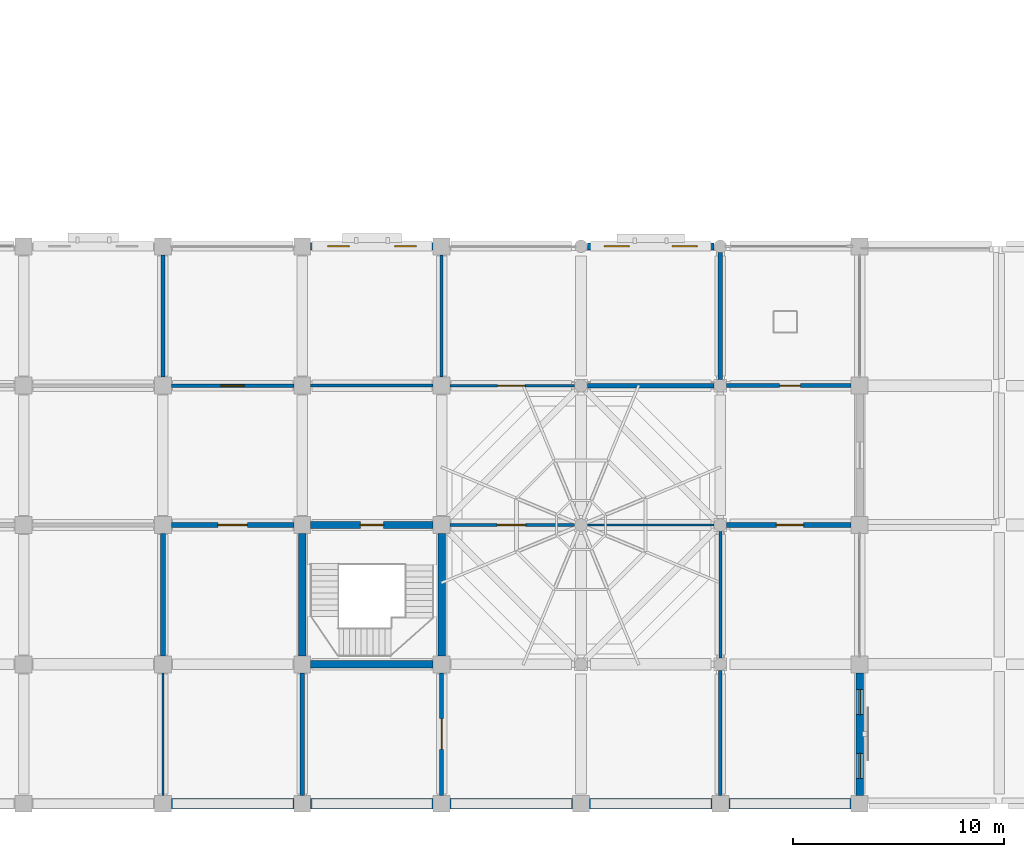
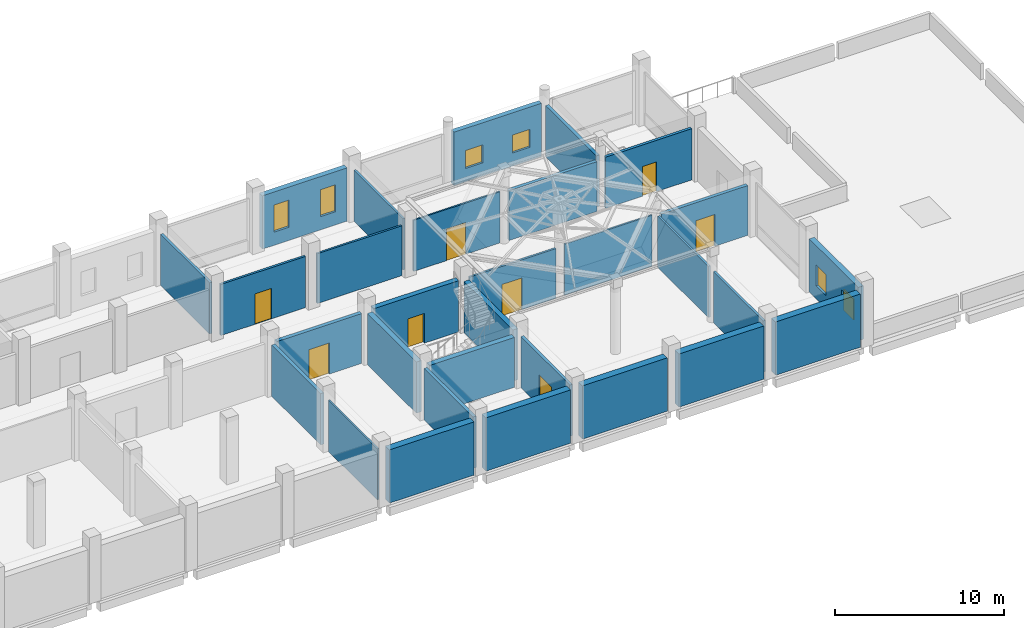
# One storey, part 21 of 34: 30 walls, 8 doors, 6 windows, 14 openings.
"""IFC4 building model written with IfcOpenShell, lengths in metres."""

from ifc_helpers import new_model, si_unit, direction, frame, frame_2d, origin, place, context, subcontext, project, spatial, rectangle, extrude, material, layer, layer_set, type_object, element, fill, save


model = new_model("IFC4")

# Units and contexts
model_context = context("Model", 3, precision=1e-05, world=origin(), true_north=direction((0.0, 1.0)))
body_context = subcontext(model_context, "Body", "Model", "MODEL_VIEW")
ifc_project = project(units=[si_unit("LENGTHUNIT", "METRE"), si_unit("AREAUNIT", "SQUARE_METRE"), si_unit("VOLUMEUNIT", "CUBIC_METRE"), si_unit("PLANEANGLEUNIT", "RADIAN"), si_unit("MASSUNIT", "GRAM", prefix="KILO")], contexts=[model_context])

# Site, building, storey
site_placement = place(None, origin())
site = spatial("IfcSite", under=ifc_project, at=site_placement, CompositionType="ELEMENT")
building_placement = place(site_placement, origin())
building = spatial("IfcBuilding", under=site, at=building_placement, Name="Rusizi Kubbe Research Institute", CompositionType="ELEMENT")
storey_placement = place(building_placement, frame((0.0, 0.0, 5.39990234375)))
storey = spatial("IfcBuildingStorey", under=building, at=storey_placement, Name="L01", CompositionType="ELEMENT", Elevation=5.39990234375)

# Wall
ifc_material_1 = material(Name="Concrete C45/55", Category="concrete")
ifc_layer_1 = layer(ifc_material_1, 0.35009765625)
ifc_layer_set_1 = layer_set([ifc_layer_1], Name="Concrete C45/55")
wall_type_1 = type_object("IfcWallType", Name="CRW-01", PredefinedType="SHEAR", material=ifc_layer_set_1)
wall_1_placement = place(storey_placement, frame((73.0, 6.60009765625, 0.0), z_axis=(0.0, 0.0, 1.0), x_axis=(1.0, 0.0, 0.0)))
element("IfcWall", 1, at=wall_1_placement, inside=storey, type_object=wall_type_1, Name="Stair Core Shear Wall ST7 L01 S", PredefinedType="SHEAR", context=body_context, shape_type="SweptSolid", body=[
    extrude(rectangle(XDim=5.800048828125, YDim=0.35009765625, at=frame_2d((2.89990234375, 0.0))), origin(), (0.0, 0.0, 1.0), 3.60009765625),
])

# Wall, opening, door
wall_2_placement = place(storey_placement, frame((73.0, 13.199951171875, 0.0), z_axis=(0.0, 0.0, 1.0), x_axis=(1.0, 0.0, 0.0)))
wall_2 = element("IfcWall", 2, at=wall_2_placement, inside=storey, type_object=wall_type_1, Name="Stair Core Shear Wall ST7 L01 N", PredefinedType="SHEAR", context=body_context, shape_type="SweptSolid", body=[
    extrude(rectangle(XDim=5.800048828125, YDim=0.35009765625, at=frame_2d((2.89990234375, 0.0))), origin(), (0.0, 0.0, 1.0), 3.7001953125),
])
opening_1_placement = place(wall_2_placement, frame((2.35009765625, 0.0, 0.0)))
opening_1 = element("IfcOpeningElement", 3, at=opening_1_placement, cuts=wall_2, Name="Opening D-01", PredefinedType="OPENING", context=body_context, shape_type="SweptSolid", body=[
    extrude(rectangle(XDim=1.10009765625, YDim=2.14990234375, at=frame_2d((0.550048828125, 1.074951171875))), frame((0.0, 0.18505859375, 0.0), z_axis=(0.0, -1.0, 0.0), x_axis=(1.0, 0.0, 0.0)), (0.0, 0.0, 1.0), 0.3701171875),
])
ifc_material_2 = material(Name="Fire-Rated Steel Frame and Acoustic Timber Leaf", Category="wood")
door_type_1 = type_object("IfcDoorType", Name="ID-STAIR-110", OperationType="NOTDEFINED", PredefinedType="DOOR", material=ifc_material_2)
door_1_placement = place(opening_1_placement, origin())
door_1 = element("IfcDoor", 4, at=door_1_placement, inside=storey, type_object=door_type_1, Name="Exit Stair Door ST7 L01", OperationType="SINGLE_SWING_LEFT", OverallHeight=2.14990234375, OverallWidth=1.10009765625, PredefinedType="DOOR", context=body_context, shape_type="SweptSolid", body=[
    extrude(rectangle(XDim=1.10009765625, YDim=2.14990234375, at=frame_2d((0.550048828125, 1.074951171875))), frame((0.0, 0.02490234375, 0.0), z_axis=(0.0, -1.0, 0.0), x_axis=(1.0, 0.0, 0.0)), (0.0, 0.0, 1.0), 0.050048828125),
])
fill(opening_1, door_1)

# Walls
for number, where, z_axis, x_axis, name in (
    (5, (72.60009765625, 7.0, 0.0), (0.0, 0.0, 1.0), (0.0, 1.0, 0.0), "Stair Core Shear Wall ST7 L01 W"),
    (6, (79.199951171875, 7.0, 0.0), (0.0, 0.0, 1.0), (0.0, 1.0, 0.0), "Stair Core Shear Wall ST7 L01 E"),
):
    element("IfcWall", number, at=place(storey_placement, frame(where, z_axis=z_axis, x_axis=x_axis)), inside=storey, type_object=wall_type_1, Name=name, PredefinedType="SHEAR", context=body_context, shape_type="SweptSolid", body=[
        extrude(rectangle(XDim=5.800048828125, YDim=0.35009765625, at=frame_2d((2.89990234375, 0.0))), origin(), (0.0, 0.0, 1.0), 3.7001953125),
    ])

# Wall, openings, windows
ifc_material_3 = material(Name="Volcanic Basalt Ashlar Masonry", Category="masonry")
ifc_layer_2 = layer(ifc_material_3, 0.35498046875)
ifc_layer_set_2 = layer_set([ifc_layer_2], Name="Volcanic Basalt Ashlar Masonry")
wall_type_2 = type_object("IfcWallType", Name="EW-06", PredefinedType="SOLIDWALL", material=ifc_layer_set_2)
wall_3_placement = place(storey_placement, frame((73.0, 26.39990234375, 0.0), z_axis=(0.0, 0.0, 1.0), x_axis=(1.0, 0.0, 0.0)))
wall_3 = element("IfcWall", 7, at=wall_3_placement, inside=storey, type_object=wall_type_2, Name="Ablaq Stone Exterior Wall L01 H11-4", PredefinedType="SOLIDWALL", context=body_context, shape_type="SweptSolid", body=[
    extrude(rectangle(XDim=5.800048828125, YDim=0.35498046875, at=frame_2d((2.89990234375, 0.0))), origin(), (0.0, 0.0, 1.0), 3.85009765625),
])
opening_2_placement = place(wall_3_placement, frame((0.800048828125, 0.0, 0.949951171875)))
opening_2 = element("IfcOpeningElement", 8, at=opening_2_placement, cuts=wall_3, Name="Opening WN-08", PredefinedType="OPENING", context=body_context, shape_type="SweptSolid", body=[
    extrude(rectangle(XDim=1.02001953125, YDim=1.9599609375, at=frame_2d((0.510009765625, 0.97998046875))), frame((0.0, 0.1875, 0.0), z_axis=(0.0, -1.0, 0.0), x_axis=(1.0, 0.0, 0.0)), (0.0, 0.0, 1.0), 0.375),
])
opening_3_placement = place(wall_3_placement, frame((3.97998046875, 0.0, 0.949951171875)))
opening_3 = element("IfcOpeningElement", 9, at=opening_3_placement, cuts=wall_3, Name="Opening WN-08", PredefinedType="OPENING", context=body_context, shape_type="SweptSolid", body=[
    extrude(rectangle(XDim=1.02001953125, YDim=1.9599609375, at=frame_2d((0.510009765625, 0.97998046875))), frame((0.0, 0.1875, 0.0), z_axis=(0.0, -1.0, 0.0), x_axis=(1.0, 0.0, 0.0)), (0.0, 0.0, 1.0), 0.375),
])
ifc_material_4 = material(Name="Aluminium Frame and Solar-Control Double Glazing", Category="glass")
window_type_1 = type_object("IfcWindowType", Name="WN-08", PartitioningType="SINGLE_PANEL", PredefinedType="WINDOW", material=ifc_material_4)
window_1_placement = place(opening_2_placement, origin())
window_1 = element("IfcWindow", 10, at=window_1_placement, inside=storey, type_object=window_type_1, Name="Casement Window WN-08 L01", OverallHeight=1.9599609375, OverallWidth=1.02001953125, PartitioningType="SINGLE_PANEL", PredefinedType="WINDOW", context=body_context, shape_type="SweptSolid", body=[
    extrude(rectangle(XDim=1.02001953125, YDim=1.9599609375, at=frame_2d((0.510009765625, 0.97998046875))), frame((0.0, 0.030029296875, 0.0), z_axis=(0.0, -1.0, 0.0), x_axis=(1.0, 0.0, 0.0)), (0.0, 0.0, 1.0), 0.06005859375),
])
fill(opening_2, window_1)
window_2_placement = place(opening_3_placement, origin())
window_2 = element("IfcWindow", 11, at=window_2_placement, inside=storey, type_object=window_type_1, Name="Casement Window WN-08 L01", OverallHeight=1.9599609375, OverallWidth=1.02001953125, PartitioningType="SINGLE_PANEL", PredefinedType="WINDOW", context=body_context, shape_type="SweptSolid", body=[
    extrude(rectangle(XDim=1.02001953125, YDim=1.9599609375, at=frame_2d((0.510009765625, 0.97998046875))), frame((0.0, 0.030029296875, 0.0), z_axis=(0.0, -1.0, 0.0), x_axis=(1.0, 0.0, 0.0)), (0.0, 0.0, 1.0), 0.06005859375),
])
fill(opening_3, window_2)

wall_4_placement = place(storey_placement, frame((99.0, 0.39990234375, 0.0), z_axis=(0.0, 0.0, 1.0), x_axis=(0.0, 1.0, 0.0)))
wall_4 = element("IfcWall", 12, at=wall_4_placement, inside=storey, type_object=wall_type_2, Name="Ablaq Stone Exterior Wall L01 V15-0", PredefinedType="SOLIDWALL", context=body_context, shape_type="SweptSolid", body=[
    extrude(rectangle(XDim=5.800048828125, YDim=0.35498046875, at=frame_2d((2.89990234375, 0.0))), origin(), (0.0, 0.0, 1.0), 3.85009765625),
])
opening_4_placement = place(wall_4_placement, frame((0.800048828125, 0.0, 0.949951171875)))
opening_4 = element("IfcOpeningElement", 13, at=opening_4_placement, cuts=wall_4, Name="Opening WN-10", PredefinedType="OPENING", context=body_context, shape_type="SweptSolid", body=[
    extrude(rectangle(XDim=1.179931640625, YDim=1.52001953125, at=frame_2d((0.58984375, 0.760009765625))), frame((0.0, 0.1875, 0.0), z_axis=(0.0, -1.0, 0.0), x_axis=(1.0, 0.0, 0.0)), (0.0, 0.0, 1.0), 0.375),
])
opening_5_placement = place(wall_4_placement, frame((3.820068359375, 0.0, 0.949951171875)))
opening_5 = element("IfcOpeningElement", 14, at=opening_5_placement, cuts=wall_4, Name="Opening WN-10", PredefinedType="OPENING", context=body_context, shape_type="SweptSolid", body=[
    extrude(rectangle(XDim=1.179931640625, YDim=1.52001953125, at=frame_2d((0.58984375, 0.760009765625))), frame((0.0, 0.1875, 0.0), z_axis=(0.0, -1.0, 0.0), x_axis=(1.0, 0.0, 0.0)), (0.0, 0.0, 1.0), 0.375),
])
ifc_material_5 = material(Name="Aluminium Frame and Solar-Control Double Glazing", Category="glass")
window_type_2 = type_object("IfcWindowType", Name="WN-10", PartitioningType="SINGLE_PANEL", PredefinedType="WINDOW", material=ifc_material_5)
window_3_placement = place(opening_4_placement, origin())
window_3 = element("IfcWindow", 15, at=window_3_placement, inside=storey, type_object=window_type_2, Name="Casement Window WN-10 L01", OverallHeight=1.52001953125, OverallWidth=1.179931640625, PartitioningType="SINGLE_PANEL", PredefinedType="WINDOW", context=body_context, shape_type="SweptSolid", body=[
    extrude(rectangle(XDim=1.179931640625, YDim=1.52001953125, at=frame_2d((0.58984375, 0.760009765625))), frame((0.0, 0.030029296875, 0.0), z_axis=(0.0, -1.0, 0.0), x_axis=(1.0, 0.0, 0.0)), (0.0, 0.0, 1.0), 0.06005859375),
])
fill(opening_4, window_3)
window_4_placement = place(opening_5_placement, origin())
window_4 = element("IfcWindow", 16, at=window_4_placement, inside=storey, type_object=window_type_2, Name="Casement Window WN-10 L01", OverallHeight=1.52001953125, OverallWidth=1.179931640625, PartitioningType="SINGLE_PANEL", PredefinedType="WINDOW", context=body_context, shape_type="SweptSolid", body=[
    extrude(rectangle(XDim=1.179931640625, YDim=1.52001953125, at=frame_2d((0.58984375, 0.760009765625))), frame((0.0, 0.030029296875, 0.0), z_axis=(0.0, -1.0, 0.0), x_axis=(1.0, 0.0, 0.0)), (0.0, 0.0, 1.0), 0.06005859375),
])
fill(opening_5, window_4)

ifc_material_6 = material(Name="Volcanic Basalt Ashlar Masonry", Category="masonry")
ifc_layer_3 = layer(ifc_material_6, 0.324951171875)
ifc_layer_set_3 = layer_set([ifc_layer_3], Name="Volcanic Basalt Ashlar Masonry")
wall_type_3 = type_object("IfcWallType", Name="EW-08", PredefinedType="SOLIDWALL", material=ifc_layer_set_3)
wall_5_placement = place(storey_placement, frame((86.10009765625, 26.39990234375, 0.0), z_axis=(0.0, 0.0, 1.0), x_axis=(1.0, 0.0, 0.0)))
wall_5 = element("IfcWall", 17, at=wall_5_placement, inside=storey, type_object=wall_type_3, Name="Ablaq Stone Exterior Wall L01 H13-4", PredefinedType="SOLIDWALL", context=body_context, shape_type="SweptSolid", body=[
    extrude(rectangle(XDim=6.0, YDim=0.324951171875, at=frame_2d((3.0, 0.0))), origin(), (0.0, 0.0, 1.0), 3.85009765625),
])
opening_6_placement = place(wall_5_placement, frame((0.800048828125, 0.0, 0.949951171875)))
opening_6 = element("IfcOpeningElement", 18, at=opening_6_placement, cuts=wall_5, Name="Opening WN-09", PredefinedType="OPENING", context=body_context, shape_type="SweptSolid", body=[
    extrude(rectangle(XDim=1.179931640625, YDim=1.300048828125, at=frame_2d((0.58984375, 0.64990234375))), frame((0.0, 0.17236328125, 0.0), z_axis=(0.0, -1.0, 0.0), x_axis=(1.0, 0.0, 0.0)), (0.0, 0.0, 1.0), 0.344970703125),
])
opening_7_placement = place(wall_5_placement, frame((4.02001953125, 0.0, 0.949951171875)))
opening_7 = element("IfcOpeningElement", 19, at=opening_7_placement, cuts=wall_5, Name="Opening WN-09", PredefinedType="OPENING", context=body_context, shape_type="SweptSolid", body=[
    extrude(rectangle(XDim=1.179931640625, YDim=1.300048828125, at=frame_2d((0.58984375, 0.64990234375))), frame((0.0, 0.17236328125, 0.0), z_axis=(0.0, -1.0, 0.0), x_axis=(1.0, 0.0, 0.0)), (0.0, 0.0, 1.0), 0.344970703125),
])
ifc_material_7 = material(Name="Aluminium Frame and Solar-Control Double Glazing", Category="glass")
window_type_3 = type_object("IfcWindowType", Name="WN-09", PartitioningType="SINGLE_PANEL", PredefinedType="WINDOW", material=ifc_material_7)
window_5_placement = place(opening_6_placement, origin())
window_5 = element("IfcWindow", 20, at=window_5_placement, inside=storey, type_object=window_type_3, Name="Casement Window WN-09 L01", OverallHeight=1.300048828125, OverallWidth=1.179931640625, PartitioningType="SINGLE_PANEL", PredefinedType="WINDOW", context=body_context, shape_type="SweptSolid", body=[
    extrude(rectangle(XDim=1.179931640625, YDim=1.300048828125, at=frame_2d((0.58984375, 0.64990234375))), frame((0.0, 0.030029296875, 0.0), z_axis=(0.0, -1.0, 0.0), x_axis=(1.0, 0.0, 0.0)), (0.0, 0.0, 1.0), 0.06005859375),
])
fill(opening_6, window_5)
window_6_placement = place(opening_7_placement, origin())
window_6 = element("IfcWindow", 21, at=window_6_placement, inside=storey, type_object=window_type_3, Name="Casement Window WN-09 L01", OverallHeight=1.300048828125, OverallWidth=1.179931640625, PartitioningType="SINGLE_PANEL", PredefinedType="WINDOW", context=body_context, shape_type="SweptSolid", body=[
    extrude(rectangle(XDim=1.179931640625, YDim=1.300048828125, at=frame_2d((0.58984375, 0.64990234375))), frame((0.0, 0.030029296875, 0.0), z_axis=(0.0, -1.0, 0.0), x_axis=(1.0, 0.0, 0.0)), (0.0, 0.0, 1.0), 0.06005859375),
])
fill(opening_7, window_6)

# Walls
ifc_material_8 = material(Name="Concrete Blockwork Fire Partition", Category="masonry")
ifc_layer_4 = layer(ifc_material_8, 0.22509765625)
ifc_layer_set_4 = layer_set([ifc_layer_4], Name="Concrete Blockwork Fire Partition")
wall_type_4 = type_object("IfcWallType", Name="IW-01", PredefinedType="PARTITIONING", material=ifc_layer_set_4)
for number, where, z_axis, x_axis, name in (
    (22, (66.0, 7.0, 0.0), (0.0, 0.0, 1.0), (0.0, 1.0, 0.0), "Interior Partition Wall L01 V10-1"),
    (23, (72.60009765625, 0.39990234375, 0.0), (0.0, 0.0, 1.0), (0.0, 1.0, 0.0), "Interior Partition Wall L01 V11-0"),
):
    element("IfcWall", number, at=place(storey_placement, frame(where, z_axis=z_axis, x_axis=x_axis)), inside=storey, type_object=wall_type_4, Name=name, PredefinedType="PARTITIONING", context=body_context, shape_type="SweptSolid", body=[
        extrude(rectangle(XDim=5.800048828125, YDim=0.22509765625, at=frame_2d((2.89990234375, 0.0))), origin(), (0.0, 0.0, 1.0), 3.7001953125),
    ])
wall_6_placement = place(storey_placement, frame((86.10009765625, 19.800048828125, 0.0), z_axis=(0.0, 0.0, 1.0), x_axis=(1.0, 0.0, 0.0)))
element("IfcWall", 24, at=wall_6_placement, inside=storey, type_object=wall_type_4, Name="Interior Partition Wall L01 H13-3", PredefinedType="PARTITIONING", context=body_context, shape_type="SweptSolid", body=[
    extrude(rectangle(XDim=6.0, YDim=0.22509765625, at=frame_2d((3.0, 0.0))), origin(), (0.0, 0.0, 1.0), 3.60009765625),
])
wall_7_placement = place(storey_placement, frame((92.39990234375, 20.10009765625, 0.0), z_axis=(0.0, 0.0, 1.0), x_axis=(0.0, 1.0, 0.0)))
element("IfcWall", 25, at=wall_7_placement, inside=storey, type_object=wall_type_4, Name="Interior Partition Wall L01 V14-3", PredefinedType="PARTITIONING", context=body_context, shape_type="SweptSolid", body=[
    extrude(rectangle(XDim=6.0, YDim=0.22509765625, at=frame_2d((3.0, 0.0))), origin(), (0.0, 0.0, 1.0), 3.7001953125),
])

# Wall, opening, door
wall_8_placement = place(storey_placement, frame((92.699951171875, 13.199951171875, 0.0), z_axis=(0.0, 0.0, 1.0), x_axis=(1.0, 0.0, 0.0)))
wall_8 = element("IfcWall", 26, at=wall_8_placement, inside=storey, type_object=wall_type_4, Name="Interior Partition Wall L01 H14-2", PredefinedType="PARTITIONING", context=body_context, shape_type="SweptSolid", body=[
    extrude(rectangle(XDim=5.900146484375, YDim=0.22509765625, at=frame_2d((2.9501953125, 0.0))), origin(), (0.0, 0.0, 1.0), 3.60009765625),
])
opening_8_placement = place(wall_8_placement, frame((2.35009765625, 0.0, 0.0)))
opening_8 = element("IfcOpeningElement", 27, at=opening_8_placement, cuts=wall_8, Name="Opening D-14", PredefinedType="OPENING", context=body_context, shape_type="SweptSolid", body=[
    extrude(rectangle(XDim=1.300048828125, YDim=2.300048828125, at=frame_2d((0.64990234375, 1.14990234375))), frame((0.0, 0.12255859375, 0.0), z_axis=(0.0, -1.0, 0.0), x_axis=(1.0, 0.0, 0.0)), (0.0, 0.0, 1.0), 0.2451171875),
])
ifc_material_9 = material(Name="Fire-Rated Steel Frame and Acoustic Timber Leaf", Category="wood")
door_type_2 = type_object("IfcDoorType", Name="ID-LAB-130", OperationType="NOTDEFINED", PredefinedType="DOOR", material=ifc_material_9)
door_2_placement = place(opening_8_placement, origin())
door_2 = element("IfcDoor", 28, at=door_2_placement, inside=storey, type_object=door_type_2, Name="Door to Catalysis Wet Laboratory (L01-EWS-06)", OperationType="SINGLE_SWING_RIGHT", OverallHeight=2.300048828125, OverallWidth=1.300048828125, PredefinedType="DOOR", context=body_context, shape_type="SweptSolid", body=[
    extrude(rectangle(XDim=1.300048828125, YDim=2.300048828125, at=frame_2d((0.64990234375, 1.14990234375))), frame((0.0, 0.02490234375, 0.0), z_axis=(0.0, -1.0, 0.0), x_axis=(1.0, 0.0, 0.0)), (0.0, 0.0, 1.0), 0.050048828125),
])
fill(opening_8, door_2)

ifc_material_10 = material(Name="Insulated Cleanroom Partition", Category="masonry")
ifc_layer_5 = layer(ifc_material_10, 0.195068359375)
ifc_layer_set_5 = layer_set([ifc_layer_5], Name="Insulated Cleanroom Partition")
wall_type_5 = type_object("IfcWallType", Name="IW-02", PredefinedType="PARTITIONING", material=ifc_layer_set_5)
wall_9_placement = place(storey_placement, frame((79.199951171875, 0.39990234375, 0.0), z_axis=(0.0, 0.0, 1.0), x_axis=(0.0, 1.0, 0.0)))
wall_9 = element("IfcWall", 29, at=wall_9_placement, inside=storey, type_object=wall_type_5, Name="Interior Partition Wall L01 V12-0", PredefinedType="PARTITIONING", context=body_context, shape_type="SweptSolid", body=[
    extrude(rectangle(XDim=5.800048828125, YDim=0.195068359375, at=frame_2d((2.89990234375, 0.0))), origin(), (0.0, 0.0, 1.0), 3.7001953125),
])
opening_9_placement = place(wall_9_placement, frame((2.175048828125, 0.0, 0.0)))
opening_9 = element("IfcOpeningElement", 30, at=opening_9_placement, cuts=wall_9, Name="Opening D-11", PredefinedType="OPENING", context=body_context, shape_type="SweptSolid", body=[
    extrude(rectangle(XDim=1.449951171875, YDim=2.25, at=frame_2d((0.72509765625, 1.125))), frame((0.0, 0.107421875, 0.0), z_axis=(0.0, -1.0, 0.0), x_axis=(1.0, 0.0, 0.0)), (0.0, 0.0, 1.0), 0.215087890625),
])
ifc_material_11 = material(Name="Fire-Rated Steel Frame and Acoustic Timber Leaf", Category="wood")
door_type_3 = type_object("IfcDoorType", Name="ID-LAB-145", OperationType="NOTDEFINED", PredefinedType="DOOR", material=ifc_material_11)
door_3_placement = place(opening_9_placement, origin())
door_3 = element("IfcDoor", 31, at=door_3_placement, inside=storey, type_object=door_type_3, Name="Door to Laboratory Instrument Support Room (L01-EWU-11)", OperationType="SINGLE_SWING_LEFT", OverallHeight=2.25, OverallWidth=1.449951171875, PredefinedType="DOOR", context=body_context, shape_type="SweptSolid", body=[
    extrude(rectangle(XDim=1.449951171875, YDim=2.25, at=frame_2d((0.72509765625, 1.125))), frame((0.0, 0.02490234375, 0.0), z_axis=(0.0, -1.0, 0.0), x_axis=(1.0, 0.0, 0.0)), (0.0, 0.0, 1.0), 0.050048828125),
])
fill(opening_9, door_3)

wall_10_placement = place(storey_placement, frame((92.699951171875, 19.800048828125, 0.0), z_axis=(0.0, 0.0, 1.0), x_axis=(1.0, 0.0, 0.0)))
wall_10 = element("IfcWall", 32, at=wall_10_placement, inside=storey, type_object=wall_type_5, Name="Interior Partition Wall L01 H14-3", PredefinedType="PARTITIONING", context=body_context, shape_type="SweptSolid", body=[
    extrude(rectangle(XDim=5.900146484375, YDim=0.195068359375, at=frame_2d((2.9501953125, 0.0))), origin(), (0.0, 0.0, 1.0), 3.7001953125),
])
opening_10_placement = place(wall_10_placement, frame((2.510009765625, 0.0, 0.0)))
opening_10 = element("IfcOpeningElement", 33, at=opening_10_placement, cuts=wall_10, Name="Opening D-20", PredefinedType="OPENING", context=body_context, shape_type="SweptSolid", body=[
    extrude(rectangle(XDim=0.97998046875, YDim=2.14990234375, at=frame_2d((0.489990234375, 1.074951171875))), frame((0.0, 0.107421875, 0.0), z_axis=(0.0, -1.0, 0.0), x_axis=(1.0, 0.0, 0.0)), (0.0, 0.0, 1.0), 0.215087890625),
])
ifc_material_12 = material(Name="Fire-Rated Steel Frame and Acoustic Timber Leaf", Category="wood")
door_type_4 = type_object("IfcDoorType", Name="ID-OFF-980", OperationType="NOTDEFINED", PredefinedType="DOOR", material=ifc_material_12)
door_4_placement = place(opening_10_placement, origin())
door_4 = element("IfcDoor", 34, at=door_4_placement, inside=storey, type_object=door_type_4, Name="Door to Write-up Office (L01-EWN-04)", OperationType="SINGLE_SWING_LEFT", OverallHeight=2.14990234375, OverallWidth=0.97998046875, PredefinedType="DOOR", context=body_context, shape_type="SweptSolid", body=[
    extrude(rectangle(XDim=0.97998046875, YDim=2.14990234375, at=frame_2d((0.489990234375, 1.074951171875))), frame((0.0, 0.02490234375, 0.0), z_axis=(0.0, -1.0, 0.0), x_axis=(1.0, 0.0, 0.0)), (0.0, 0.0, 1.0), 0.050048828125),
])
fill(opening_10, door_4)

# Wall
ifc_material_13 = material(Name="Acoustic Laboratory Partition", Category="masonry")
ifc_layer_6 = layer(ifc_material_13, 0.175048828125)
ifc_layer_set_6 = layer_set([ifc_layer_6], Name="Acoustic Laboratory Partition")
wall_type_6 = type_object("IfcWallType", Name="IW-03", PredefinedType="PARTITIONING", material=ifc_layer_set_6)
wall_11_placement = place(storey_placement, frame((66.0, 20.199951171875, 0.0), z_axis=(0.0, 0.0, 1.0), x_axis=(0.0, 1.0, 0.0)))
element("IfcWall", 35, at=wall_11_placement, inside=storey, type_object=wall_type_6, Name="Interior Partition Wall L01 V10-3", PredefinedType="PARTITIONING", context=body_context, shape_type="SweptSolid", body=[
    extrude(rectangle(XDim=5.800048828125, YDim=0.175048828125, at=frame_2d((2.89990234375, 0.0))), origin(), (0.0, 0.0, 1.0), 3.7001953125),
])

# Wall, opening, door
ifc_material_14 = material(Name="Fire-Rated Corridor Partition", Category="masonry")
ifc_layer_7 = layer(ifc_material_14, 0.155029296875)
ifc_layer_set_7 = layer_set([ifc_layer_7], Name="Fire-Rated Corridor Partition")
wall_type_7 = type_object("IfcWallType", Name="IW-04", PredefinedType="PARTITIONING", material=ifc_layer_set_7)
wall_12_placement = place(storey_placement, frame((66.39990234375, 19.800048828125, 0.0), z_axis=(0.0, 0.0, 1.0), x_axis=(1.0, 0.0, 0.0)))
wall_12 = element("IfcWall", 36, at=wall_12_placement, inside=storey, type_object=wall_type_7, Name="Interior Partition Wall L01 H10-3", PredefinedType="PARTITIONING", context=body_context, shape_type="SweptSolid", body=[
    extrude(rectangle(XDim=5.800048828125, YDim=0.155029296875, at=frame_2d((2.89990234375, 0.0))), origin(), (0.0, 0.0, 1.0), 3.7001953125),
])
opening_11_placement = place(wall_12_placement, frame((2.340087890625, 0.0, 0.0)))
opening_11 = element("IfcOpeningElement", 37, at=opening_11_placement, cuts=wall_12, Name="Opening D-18", PredefinedType="OPENING", context=body_context, shape_type="SweptSolid", body=[
    extrude(rectangle(XDim=1.1201171875, YDim=2.199951171875, at=frame_2d((0.56005859375, 1.10009765625))), frame((0.0, 0.08740234375, 0.0), z_axis=(0.0, -1.0, 0.0), x_axis=(1.0, 0.0, 0.0)), (0.0, 0.0, 1.0), 0.175048828125),
])
ifc_material_15 = material(Name="Fire-Rated Steel Frame and Acoustic Timber Leaf", Category="wood")
door_type_5 = type_object("IfcDoorType", Name="ID-OFF-112", OperationType="NOTDEFINED", PredefinedType="DOOR", material=ifc_material_15)
door_5_placement = place(opening_11_placement, origin())
door_5 = element("IfcDoor", 38, at=door_5_placement, inside=storey, type_object=door_type_5, Name="Door to Write-up Office (L01-EWN-02)", OperationType="SINGLE_SWING_LEFT", OverallHeight=2.199951171875, OverallWidth=1.1201171875, PredefinedType="DOOR", context=body_context, shape_type="SweptSolid", body=[
    extrude(rectangle(XDim=1.1201171875, YDim=2.199951171875, at=frame_2d((0.56005859375, 1.10009765625))), frame((0.0, 0.02490234375, 0.0), z_axis=(0.0, -1.0, 0.0), x_axis=(1.0, 0.0, 0.0)), (0.0, 0.0, 1.0), 0.050048828125),
])
fill(opening_11, door_5)

# Walls
wall_13_placement = place(storey_placement, frame((92.39990234375, 0.39990234375, 0.0), z_axis=(0.0, 0.0, 1.0), x_axis=(0.0, 1.0, 0.0)))
element("IfcWall", 39, at=wall_13_placement, inside=storey, type_object=wall_type_7, Name="Interior Partition Wall L01 V14-0", PredefinedType="PARTITIONING", context=body_context, shape_type="SweptSolid", body=[
    extrude(rectangle(XDim=5.900146484375, YDim=0.155029296875, at=frame_2d((2.9501953125, 0.0))), origin(), (0.0, 0.0, 1.0), 3.7001953125),
])
ifc_material_16 = material(Name="Write-up Glazed Acoustic Partition", Category="masonry")
ifc_layer_8 = layer(ifc_material_16, 0.139892578125)
ifc_layer_set_8 = layer_set([ifc_layer_8], Name="Write-up Glazed Acoustic Partition")
wall_type_8 = type_object("IfcWallType", Name="IW-05", PredefinedType="PARTITIONING", material=ifc_layer_set_8)
wall_14_placement = place(storey_placement, frame((73.0, 19.800048828125, 0.0), z_axis=(0.0, 0.0, 1.0), x_axis=(1.0, 0.0, 0.0)))
element("IfcWall", 40, at=wall_14_placement, inside=storey, type_object=wall_type_8, Name="Interior Partition Wall L01 H11-3", PredefinedType="PARTITIONING", context=body_context, shape_type="SweptSolid", body=[
    extrude(rectangle(XDim=5.800048828125, YDim=0.139892578125, at=frame_2d((2.89990234375, 0.0))), origin(), (0.0, 0.0, 1.0), 3.60009765625),
])
wall_15_placement = place(storey_placement, frame((79.199951171875, 20.199951171875, 0.0), z_axis=(0.0, 0.0, 1.0), x_axis=(0.0, 1.0, 0.0)))
element("IfcWall", 41, at=wall_15_placement, inside=storey, type_object=wall_type_8, Name="Interior Partition Wall L01 V12-3", PredefinedType="PARTITIONING", context=body_context, shape_type="SweptSolid", body=[
    extrude(rectangle(XDim=5.800048828125, YDim=0.139892578125, at=frame_2d((2.89990234375, 0.0))), origin(), (0.0, 0.0, 1.0), 3.7001953125),
])

# Wall, opening, door
wall_16_placement = place(storey_placement, frame((79.60009765625, 13.199951171875, 0.0), z_axis=(0.0, 0.0, 1.0), x_axis=(1.0, 0.0, 0.0)))
wall_16 = element("IfcWall", 42, at=wall_16_placement, inside=storey, type_object=wall_type_8, Name="Interior Partition Wall L01 H12-2", PredefinedType="PARTITIONING", context=body_context, shape_type="SweptSolid", body=[
    extrude(rectangle(XDim=5.89990234375, YDim=0.139892578125, at=frame_2d((2.949951171875, 0.0))), origin(), (0.0, 0.0, 1.0), 3.60009765625),
])
opening_12_placement = place(wall_16_placement, frame((2.22509765625, 0.0, 0.0)))
opening_12 = element("IfcOpeningElement", 43, at=opening_12_placement, cuts=wall_16, Name="Opening D-13", PredefinedType="OPENING", context=body_context, shape_type="SweptSolid", body=[
    extrude(rectangle(XDim=1.35009765625, YDim=2.300048828125, at=frame_2d((0.675048828125, 1.14990234375))), frame((0.0, 0.079833984375, 0.0), z_axis=(0.0, -1.0, 0.0), x_axis=(1.0, 0.0, 0.0)), (0.0, 0.0, 1.0), 0.159912109375),
])
ifc_material_17 = material(Name="Fire-Rated Steel Frame and Acoustic Timber Leaf", Category="wood")
door_type_6 = type_object("IfcDoorType", Name="ID-LAB-135", OperationType="NOTDEFINED", PredefinedType="DOOR", material=ifc_material_17)
door_6_placement = place(opening_12_placement, origin())
door_6 = element("IfcDoor", 44, at=door_6_placement, inside=storey, type_object=door_type_6, Name="Door to Clean Room Process Suite (L01-EWS-05)", OperationType="SINGLE_SWING_LEFT", OverallHeight=2.300048828125, OverallWidth=1.35009765625, PredefinedType="DOOR", context=body_context, shape_type="SweptSolid", body=[
    extrude(rectangle(XDim=1.35009765625, YDim=2.300048828125, at=frame_2d((0.675048828125, 1.14990234375))), frame((0.0, 0.02490234375, 0.0), z_axis=(0.0, -1.0, 0.0), x_axis=(1.0, 0.0, 0.0)), (0.0, 0.0, 1.0), 0.050048828125),
])
fill(opening_12, door_6)

# Walls
wall_17_placement = place(storey_placement, frame((92.39990234375, 6.89990234375, 0.0), z_axis=(0.0, 0.0, 1.0), x_axis=(0.0, 1.0, 0.0)))
element("IfcWall", 45, at=wall_17_placement, inside=storey, type_object=wall_type_8, Name="Interior Partition Wall L01 V14-1", PredefinedType="PARTITIONING", context=body_context, shape_type="SweptSolid", body=[
    extrude(rectangle(XDim=6.0, YDim=0.139892578125, at=frame_2d((3.0, 0.0))), origin(), (0.0, 0.0, 1.0), 3.7001953125),
])
ifc_material_18 = material(Name="Sub-Suite Fire Partition", Category="masonry")
ifc_layer_9 = layer(ifc_material_18, 0.110107421875)
ifc_layer_set_9 = layer_set([ifc_layer_9], Name="Sub-Suite Fire Partition")
wall_type_9 = type_object("IfcWallType", Name="IW-07", PredefinedType="PARTITIONING", material=ifc_layer_set_9)
wall_18_placement = place(storey_placement, frame((66.0, 0.39990234375, 0.0), z_axis=(0.0, 0.0, 1.0), x_axis=(0.0, 1.0, 0.0)))
element("IfcWall", 46, at=wall_18_placement, inside=storey, type_object=wall_type_9, Name="Interior Partition Wall L01 V10-0", PredefinedType="PARTITIONING", context=body_context, shape_type="SweptSolid", body=[
    extrude(rectangle(XDim=5.800048828125, YDim=0.110107421875, at=frame_2d((2.89990234375, 0.0))), origin(), (0.0, 0.0, 1.0), 3.7001953125),
])

# Wall, opening, door
wall_19_placement = place(storey_placement, frame((79.60009765625, 19.800048828125, 0.0), z_axis=(0.0, 0.0, 1.0), x_axis=(1.0, 0.0, 0.0)))
wall_19 = element("IfcWall", 47, at=wall_19_placement, inside=storey, type_object=wall_type_9, Name="Interior Partition Wall L01 H12-3", PredefinedType="PARTITIONING", context=body_context, shape_type="SweptSolid", body=[
    extrude(rectangle(XDim=5.89990234375, YDim=0.110107421875, at=frame_2d((2.949951171875, 0.0))), origin(), (0.0, 0.0, 1.0), 3.7001953125),
])
opening_13_placement = place(wall_19_placement, frame((2.25, 0.0, 0.0)))
opening_13 = element("IfcOpeningElement", 48, at=opening_13_placement, cuts=wall_19, Name="Opening D-14", PredefinedType="OPENING", context=body_context, shape_type="SweptSolid", body=[
    extrude(rectangle(XDim=1.300048828125, YDim=2.300048828125, at=frame_2d((0.64990234375, 1.14990234375))), frame((0.0, 0.06494140625, 0.0), z_axis=(0.0, -1.0, 0.0), x_axis=(1.0, 0.0, 0.0)), (0.0, 0.0, 1.0), 0.130126953125),
])
door_7_placement = place(opening_13_placement, origin())
door_7 = element("IfcDoor", 49, at=door_7_placement, inside=storey, type_object=door_type_2, Name="Door to Molecular Diagnostics Laboratory (L01-EWN-03)", OperationType="SINGLE_SWING_RIGHT", OverallHeight=2.300048828125, OverallWidth=1.300048828125, PredefinedType="DOOR", context=body_context, shape_type="SweptSolid", body=[
    extrude(rectangle(XDim=1.300048828125, YDim=2.300048828125, at=frame_2d((0.64990234375, 1.14990234375))), frame((0.0, 0.02490234375, 0.0), z_axis=(0.0, -1.0, 0.0), x_axis=(1.0, 0.0, 0.0)), (0.0, 0.0, 1.0), 0.050048828125),
])
fill(opening_13, door_7)

# Walls
wall_20_placement = place(storey_placement, frame((86.10009765625, 13.199951171875, 0.0), z_axis=(0.0, 0.0, 1.0), x_axis=(1.0, 0.0, 0.0)))
element("IfcWall", 50, at=wall_20_placement, inside=storey, type_object=wall_type_9, Name="Interior Partition Wall L01 H13-2", PredefinedType="PARTITIONING", context=body_context, shape_type="SweptSolid", body=[
    extrude(rectangle(XDim=6.0, YDim=0.110107421875, at=frame_2d((3.0, 0.0))), origin(), (0.0, 0.0, 1.0), 3.7001953125),
])
ifc_material_19 = material(Name="Concrete C40/50", Category="concrete")
ifc_layer_10 = layer(ifc_material_19, 0.47998046875)
ifc_layer_set_10 = layer_set([ifc_layer_10], Name="Concrete C40/50")
wall_type_10 = type_object("IfcWallType", Name="PW-01", PredefinedType="SOLIDWALL", material=ifc_layer_set_10)
for number, where, z_axis, x_axis, name in (
    (51, (66.39990234375, 0.0, 0.0), (0.0, 0.0, 1.0), (1.0, 0.0, 0.0), "Blind Party Wall L01 H10-0"),
    (52, (73.0, 0.0, 0.0), (0.0, 0.0, 1.0), (1.0, 0.0, 0.0), "Blind Party Wall L01 H11-0"),
):
    element("IfcWall", number, at=place(storey_placement, frame(where, z_axis=z_axis, x_axis=x_axis)), inside=storey, type_object=wall_type_10, Name=name, PredefinedType="SOLIDWALL", context=body_context, shape_type="SweptSolid", body=[
        extrude(rectangle(XDim=5.800048828125, YDim=0.47998046875, at=frame_2d((2.89990234375, 0.0))), origin(), (0.0, 0.0, 1.0), 3.85009765625),
    ])
wall_21_placement = place(storey_placement, frame((79.60009765625, 0.0, 0.0), z_axis=(0.0, 0.0, 1.0), x_axis=(1.0, 0.0, 0.0)))
element("IfcWall", 53, at=wall_21_placement, inside=storey, type_object=wall_type_10, Name="Blind Party Wall L01 H12-0", PredefinedType="SOLIDWALL", context=body_context, shape_type="SweptSolid", body=[
    extrude(rectangle(XDim=5.7998046875, YDim=0.47998046875, at=frame_2d((2.89990234375, 0.0))), origin(), (0.0, 0.0, 1.0), 3.85009765625),
])
for number, where, z_axis, x_axis, name in (
    (54, (86.199951171875, 0.0, 0.0), (0.0, 0.0, 1.0), (1.0, 0.0, 0.0), "Blind Party Wall L01 H13-0"),
    (55, (92.800048828125, 0.0, 0.0), (0.0, 0.0, 1.0), (1.0, 0.0, 0.0), "Blind Party Wall L01 H14-0"),
):
    element("IfcWall", number, at=place(storey_placement, frame(where, z_axis=z_axis, x_axis=x_axis)), inside=storey, type_object=wall_type_10, Name=name, PredefinedType="SOLIDWALL", context=body_context, shape_type="SweptSolid", body=[
        extrude(rectangle(XDim=5.800048828125, YDim=0.47998046875, at=frame_2d((2.89990234375, 0.0))), origin(), (0.0, 0.0, 1.0), 3.85009765625),
    ])

# Wall, opening, door
ifc_material_20 = material(Name="Concrete C40/50", Category="concrete")
ifc_layer_11 = layer(ifc_material_20, 0.2548828125)
ifc_layer_set_11 = layer_set([ifc_layer_11], Name="Concrete C40/50")
wall_type_11 = type_object("IfcWallType", Name="SHW-02", PredefinedType="SHEAR", material=ifc_layer_set_11)
wall_22_placement = place(storey_placement, frame((66.39990234375, 13.199951171875, 0.0), z_axis=(0.0, 0.0, 1.0), x_axis=(1.0, 0.0, 0.0)))
wall_22 = element("IfcWall", 56, at=wall_22_placement, inside=storey, type_object=wall_type_11, Name="Interior Partition Wall L01 H10-2", PredefinedType="SHEAR", context=body_context, shape_type="SweptSolid", body=[
    extrude(rectangle(XDim=5.800048828125, YDim=0.2548828125, at=frame_2d((2.89990234375, 0.0))), origin(), (0.0, 0.0, 1.0), 3.60009765625),
])
opening_14_placement = place(wall_22_placement, frame((2.199951171875, 0.0, 0.0)))
opening_14 = element("IfcOpeningElement", 57, at=opening_14_placement, cuts=wall_22, Name="Opening D-12", PredefinedType="OPENING", context=body_context, shape_type="SweptSolid", body=[
    extrude(rectangle(XDim=1.39990234375, YDim=2.25, at=frame_2d((0.699951171875, 1.125))), frame((0.0, 0.137451171875, 0.0), z_axis=(0.0, -1.0, 0.0), x_axis=(1.0, 0.0, 0.0)), (0.0, 0.0, 1.0), 0.27490234375),
])
ifc_material_21 = material(Name="Fire-Rated Steel Frame and Acoustic Timber Leaf", Category="wood")
door_type_7 = type_object("IfcDoorType", Name="ID-LAB-140", OperationType="NOTDEFINED", PredefinedType="DOOR", material=ifc_material_21)
door_8_placement = place(opening_14_placement, origin())
door_8 = element("IfcDoor", 58, at=door_8_placement, inside=storey, type_object=door_type_7, Name="Door to Catalysis Wet Laboratory (L01-EWS-04)", OperationType="SINGLE_SWING_RIGHT", OverallHeight=2.25, OverallWidth=1.39990234375, PredefinedType="DOOR", context=body_context, shape_type="SweptSolid", body=[
    extrude(rectangle(XDim=1.39990234375, YDim=2.25, at=frame_2d((0.699951171875, 1.125))), frame((0.0, 0.02490234375, 0.0), z_axis=(0.0, -1.0, 0.0), x_axis=(1.0, 0.0, 0.0)), (0.0, 0.0, 1.0), 0.050048828125),
])
fill(opening_14, door_8)

save(model, "model.ifc")
